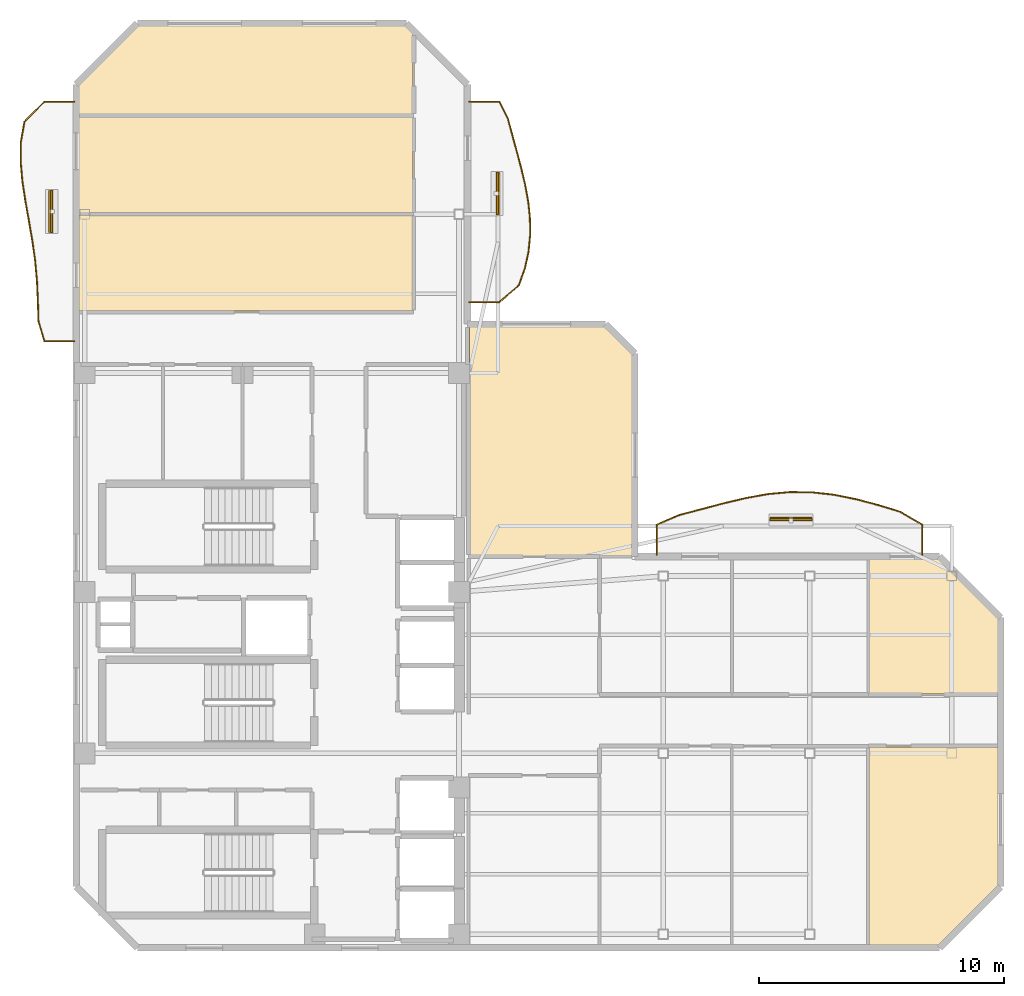
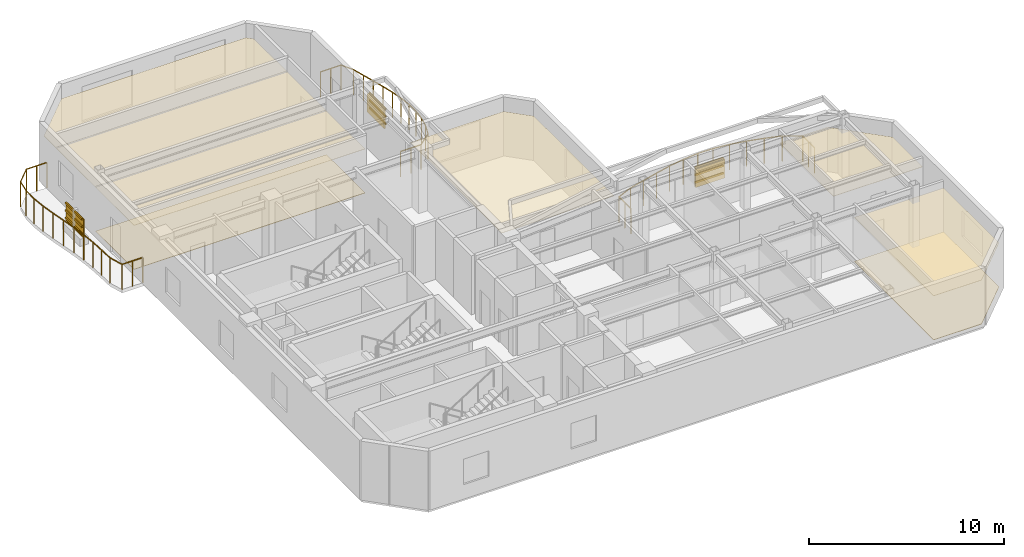
# One storey, part 7 of 7: 12 shading devices, 8 coverings, 3 railings.
"""IFC4 building model written with IfcOpenShell, lengths in metres."""

from ifc_helpers import new_model, si_unit, direction, frame, origin, origin_2d, place, context, subcontext, project, spatial, polyline, rectangle, outline, extrude, material, layer, layer_set, material_profile, profile_set, type_object, element, save


model = new_model("IFC4")

# Units and contexts
model_context = context("Model", 3, precision=1e-05, world=origin(), true_north=direction((0.0, 1.0)))
body_context = subcontext(model_context, "Body", "Model", "MODEL_VIEW")
ifc_project = project(units=[si_unit("LENGTHUNIT", "METRE"), si_unit("AREAUNIT", "SQUARE_METRE"), si_unit("VOLUMEUNIT", "CUBIC_METRE"), si_unit("PLANEANGLEUNIT", "RADIAN"), si_unit("MASSUNIT", "GRAM", prefix="KILO")], contexts=[model_context])

# Site, building, storey
site_placement = place(None, origin())
site = spatial("IfcSite", under=ifc_project, at=site_placement, CompositionType="ELEMENT")
building_placement = place(site_placement, origin())
building = spatial("IfcBuilding", under=site, at=building_placement, Name="Mawjaban Terraces University", CompositionType="ELEMENT")
storey_placement = place(building_placement, frame((0.0, 0.0, 252.10009765625)))
storey = spatial("IfcBuildingStorey", under=building, at=storey_placement, Name="L61", CompositionType="ELEMENT", Elevation=252.10009765625)

# Coverings
ifc_material_1 = material(Name="Acoustic mineral fibre ceiling tile", Category="masonry")
ifc_layer_1 = layer(ifc_material_1, 0.02001953125)
ifc_layer_set_1 = layer_set([ifc_layer_1], Name="Acoustic mineral fibre ceiling tile")
covering_type_1 = type_object("IfcCoveringType", Name="AcousticMineralCeiling_20", PredefinedType="CEILING", material=ifc_layer_set_1)
covering_1_placement = place(storey_placement, frame((0.0, 0.0, 2.75)))
element("IfcCovering", 1, at=covering_1_placement, inside=storey, type_object=covering_type_1, Name="L61 Classroom 6 Acoustic Ceiling", PredefinedType="CEILING", context=body_context, shape_type="SweptSolid", body=[
    extrude(outline(polyline([(54.41796875, 0.114990234375), (57.2529296875, 0.114990234375), (59.68505859375, 2.547119140625), (59.68505859375, 8.219970703125), (54.41796875, 8.219970703125), (54.41796875, 0.114990234375)])), origin(), (0.0, 0.0, 1.0), 0.02001953125),
])
covering_2_placement = place(storey_placement, frame((0.0, 0.0, 2.75)))
element("IfcCovering", 2, at=covering_2_placement, inside=storey, type_object=covering_type_1, Name="L61 Faculty Office 7 Acoustic Ceiling", PredefinedType="CEILING", context=body_context, shape_type="SweptSolid", body=[
    extrude(outline(polyline([(59.68505859375, 10.3798828125), (59.68505859375, 13.452880859375), (57.2529296875, 15.885009765625), (54.41796875, 15.885009765625), (54.41796875, 10.3798828125), (59.68505859375, 10.3798828125)])), origin(), (0.0, 0.0, 1.0), 0.02001953125),
])
covering_3_placement = place(storey_placement, frame((0.0, 0.0, 2.75)))
element("IfcCovering", 3, at=covering_3_placement, inside=storey, type_object=covering_type_1, Name="L61 Classroom 8 Acoustic Ceiling", PredefinedType="CEILING", context=body_context, shape_type="SweptSolid", body=[
    extrude(outline(polyline([(22.114990234375, 29.969970703125), (22.114990234375, 26.030029296875), (35.77001953125, 26.030029296875), (35.77001953125, 29.969970703125), (22.114990234375, 29.969970703125)])), origin(), (0.0, 0.0, 1.0), 0.02001953125),
])
covering_4_placement = place(storey_placement, frame((0.0, 0.0, 2.75)))
element("IfcCovering", 4, at=covering_4_placement, inside=storey, type_object=covering_type_1, Name="L61 Computational Laboratory 9 Acoustic Ceiling", PredefinedType="CEILING", context=body_context, shape_type="SweptSolid", body=[
    extrude(outline(polyline([(22.114990234375, 33.993896484375), (22.114990234375, 30.030029296875), (35.77001953125, 30.030029296875), (35.77001953125, 33.993896484375), (22.114990234375, 33.993896484375)])), origin(), (0.0, 0.0, 1.0), 0.02001953125),
])
covering_5_placement = place(storey_placement, frame((0.0, 0.0, 2.75)))
element("IfcCovering", 5, at=covering_5_placement, inside=storey, type_object=covering_type_1, Name="L61 Design Studio 10 Acoustic Ceiling", PredefinedType="CEILING", context=body_context, shape_type="SweptSolid", body=[
    extrude(outline(polyline([(35.77001953125, 37.367919921875), (35.452880859375, 37.68505859375), (24.547119140625, 37.68505859375), (22.114990234375, 35.2529296875), (22.114990234375, 34.053955078125), (35.77001953125, 34.053955078125), (35.77001953125, 37.367919921875)])), origin(), (0.0, 0.0, 1.0), 0.02001953125),
])
covering_6_placement = place(storey_placement, frame((0.0, 0.0, 2.75)))
element("IfcCovering", 6, at=covering_6_placement, inside=storey, type_object=covering_type_1, Name="L61 Terrace Collaborative Study Room Acoustic Ceiling", PredefinedType="CEILING", context=body_context, shape_type="SweptSolid", body=[
    extrude(outline(polyline([(44.72509765625, 16.030029296875), (44.72509765625, 24.2529296875), (43.593017578125, 25.385009765625), (38.080078125, 25.385009765625), (38.080078125, 16.030029296875), (44.72509765625, 16.030029296875)])), origin(), (0.0, 0.0, 1.0), 0.02001953125),
])

# Railings
ifc_material_2 = material(Name="Galvanised powder-coated steel S355", Category="steel")
railing_type = type_object("IfcRailingType", Name="BalconyBalustrade_1600", PredefinedType="BALUSTRADE", material=ifc_material_2)
railing_1_placement = place(storey_placement, frame((21.919921875, 24.800048828125, 0.0)))
element("IfcRailing", 7, at=railing_1_placement, inside=storey, type_object=railing_type, Name="L61 Balcony Guardrail west", PredefinedType="BALUSTRADE", context=body_context, shape_type="SweptSolid", body=[
    extrude(rectangle(XDim=0.048095703125, YDim=0.048095703125, at=origin_2d()), frame((0.0, 0.0, 1.576171875), z_axis=(-1.0, 0.0, 0.0), x_axis=(0.0, -1.0, 0.0)), (0.0, 0.0, 1.0), 1.219970703125),
    extrude(rectangle(XDim=0.048095703125, YDim=0.048095703125, at=origin_2d()), frame((-1.219970703125, 0.0, 1.576171875), z_axis=(-0.286086544762, 0.958203782557, 0.0), x_axis=(-0.958203782557, -0.286086544762, 0.0)), (0.0, 0.0, 1.0), 0.8525390625),
    extrude(rectangle(XDim=0.048095703125, YDim=0.048095703125, at=origin_2d()), frame((-1.4638671875, 0.81689453125, 1.576171875), z_axis=(-0.030796035307, 0.99952568962, 0.0), x_axis=(-0.99952568962, -0.030796035307, 0.0)), (0.0, 0.0, 1.0), 0.816650390625),
    extrude(rectangle(XDim=0.048095703125, YDim=0.048095703125, at=origin_2d()), frame((-1.489013671875, 1.633056640625, 1.576171875), z_axis=(-0.045082627759, 0.998983261459, 0.0), x_axis=(-0.998983261459, -0.045082627759, 0.0)), (0.0, 0.0, 1.0), 0.817626953125),
    extrude(rectangle(XDim=0.048095703125, YDim=0.048095703125, at=origin_2d()), frame((-1.52587890625, 2.449951171875, 1.576171875), z_axis=(-0.089005768693, 0.996031110528, 0.0), x_axis=(-0.996031110528, -0.089005768693, 0.0)), (0.0, 0.0, 1.0), 0.820068359375),
    extrude(rectangle(XDim=0.048095703125, YDim=0.048095703125, at=origin_2d()), frame((-1.598876953125, 3.266845703125, 1.576171875), z_axis=(-0.137188840592, 0.990544911661, 0.0), x_axis=(-0.990544911661, -0.137188840592, 0.0)), (0.0, 0.0, 1.0), 0.823974609375),
    extrude(rectangle(XDim=0.048095703125, YDim=0.048095703125, at=origin_2d()), frame((-1.7119140625, 4.0830078125, 1.576171875), z_axis=(-0.168792112751, 0.985651674109, 0.0), x_axis=(-0.985651674109, -0.168792112751, 0.0)), (0.0, 0.0, 1.0), 0.828857421875),
    extrude(rectangle(XDim=0.048095703125, YDim=0.048095703125, at=origin_2d()), frame((-1.851806640625, 4.89990234375, 1.576171875), z_axis=(-0.175882254045, 0.984411211188, 0.0), x_axis=(-0.984411211188, -0.175882254045, 0.0)), (0.0, 0.0, 1.0), 0.830078125),
    extrude(rectangle(XDim=0.048095703125, YDim=0.048095703125, at=origin_2d()), frame((-1.997802734375, 5.717041015625, 1.576171875), z_axis=(-0.150278574394, 0.988643692175, 0.0), x_axis=(-0.988643692175, -0.150278574394, 0.0)), (0.0, 0.0, 1.0), 0.8251953125),
    extrude(rectangle(XDim=0.048095703125, YDim=0.048095703125, at=origin_2d()), frame((-2.121826171875, 6.532958984375, 1.576171875), z_axis=(-0.087824301942, 0.996135980672, 0.0), x_axis=(-0.996135980672, -0.087824301942, 0.0)), (0.0, 0.0, 1.0), 0.820068359375),
    extrude(rectangle(XDim=0.048095703125, YDim=0.048095703125, at=origin_2d()), frame((-2.19384765625, 7.349853515625, 1.576171875), z_axis=(0.015833091241, 0.999874648754, 0.0), x_axis=(-0.999874648754, 0.015833091241, 0.0)), (0.0, 0.0, 1.0), 0.817138671875),
    extrude(rectangle(XDim=0.048095703125, YDim=0.048095703125, at=origin_2d()), frame((-2.180908203125, 8.1669921875, 1.576171875), z_axis=(0.174995257373, 0.984569276332, 0.0), x_axis=(-0.984569276332, 0.174995257373, 0.0)), (0.0, 0.0, 1.0), 0.82861328125),
    extrude(rectangle(XDim=0.048095703125, YDim=0.048095703125, at=origin_2d()), frame((-2.035888671875, 8.98291015625, 1.576171875), z_axis=(0.706578024374, 0.707635142903, 0.0), x_axis=(-0.707635142903, 0.706578024374, 0.0)), (0.0, 0.0, 1.0), 1.15478515625),
    extrude(rectangle(XDim=0.048095703125, YDim=0.048095703125, at=origin_2d()), frame((-1.219970703125, 9.800048828125, 1.576171875), z_axis=(1.0, 0.0, 0.0), x_axis=(0.0, 1.0, 0.0)), (0.0, 0.0, 1.0), 1.219970703125),
    extrude(rectangle(XDim=0.0419921875, YDim=0.0419921875, at=origin_2d()), origin(), (0.0, 0.0, 1.0), 1.552001953125),
    extrude(rectangle(XDim=0.0419921875, YDim=0.0419921875, at=origin_2d()), frame((-0.60986328125, 0.0, 0.0)), (0.0, 0.0, 1.0), 1.552001953125),
    extrude(rectangle(XDim=0.0419921875, YDim=0.0419921875, at=origin_2d()), frame((-1.219970703125, 0.0, 0.0)), (0.0, 0.0, 1.0), 1.552001953125),
    extrude(rectangle(XDim=0.0419921875, YDim=0.0419921875, at=origin_2d()), frame((-1.4638671875, 0.81689453125, 0.0)), (0.0, 0.0, 1.0), 1.552001953125),
    extrude(rectangle(XDim=0.0419921875, YDim=0.0419921875, at=origin_2d()), frame((-1.489013671875, 1.633056640625, 0.0)), (0.0, 0.0, 1.0), 1.552001953125),
    extrude(rectangle(XDim=0.0419921875, YDim=0.0419921875, at=origin_2d()), frame((-1.52587890625, 2.449951171875, 0.0)), (0.0, 0.0, 1.0), 1.552001953125),
    extrude(rectangle(XDim=0.0419921875, YDim=0.0419921875, at=origin_2d()), frame((-1.598876953125, 3.266845703125, 0.0)), (0.0, 0.0, 1.0), 1.552001953125),
    extrude(rectangle(XDim=0.0419921875, YDim=0.0419921875, at=origin_2d()), frame((-1.7119140625, 4.0830078125, 0.0)), (0.0, 0.0, 1.0), 1.552001953125),
    extrude(rectangle(XDim=0.0419921875, YDim=0.0419921875, at=origin_2d()), frame((-1.851806640625, 4.89990234375, 0.0)), (0.0, 0.0, 1.0), 1.552001953125),
    extrude(rectangle(XDim=0.0419921875, YDim=0.0419921875, at=origin_2d()), frame((-1.997802734375, 5.717041015625, 0.0)), (0.0, 0.0, 1.0), 1.552001953125),
    extrude(rectangle(XDim=0.0419921875, YDim=0.0419921875, at=origin_2d()), frame((-2.121826171875, 6.532958984375, 0.0)), (0.0, 0.0, 1.0), 1.552001953125),
    extrude(rectangle(XDim=0.0419921875, YDim=0.0419921875, at=origin_2d()), frame((-2.19384765625, 7.349853515625, 0.0)), (0.0, 0.0, 1.0), 1.552001953125),
    extrude(rectangle(XDim=0.0419921875, YDim=0.0419921875, at=origin_2d()), frame((-2.180908203125, 8.1669921875, 0.0)), (0.0, 0.0, 1.0), 1.552001953125),
    extrude(rectangle(XDim=0.0419921875, YDim=0.0419921875, at=origin_2d()), frame((-2.035888671875, 8.98291015625, 0.0)), (0.0, 0.0, 1.0), 1.552001953125),
    extrude(rectangle(XDim=0.0419921875, YDim=0.0419921875, at=origin_2d()), frame((-1.219970703125, 9.800048828125, 0.0)), (0.0, 0.0, 1.0), 1.552001953125),
    extrude(rectangle(XDim=0.0419921875, YDim=0.0419921875, at=origin_2d()), frame((-0.60986328125, 9.800048828125, 0.0)), (0.0, 0.0, 1.0), 1.552001953125),
    extrude(rectangle(XDim=0.0419921875, YDim=0.0419921875, at=origin_2d()), frame((0.0, 9.800048828125, 0.0)), (0.0, 0.0, 1.0), 1.552001953125),
])
railing_2_placement = place(storey_placement, frame((45.739990234375, 16.080078125, 0.0)))
element("IfcRailing", 8, at=railing_2_placement, inside=storey, type_object=railing_type, Name="L61 Balcony Guardrail inner_north", PredefinedType="BALUSTRADE", context=body_context, shape_type="SweptSolid", body=[
    extrude(rectangle(XDim=0.048095703125, YDim=0.048095703125, at=origin_2d()), frame((0.0, 0.0, 1.576171875), z_axis=(0.0, 1.0, 0.0), x_axis=(-1.0, 0.0, 0.0)), (0.0, 0.0, 1.0), 1.219970703125),
    extrude(rectangle(XDim=0.048095703125, YDim=0.048095703125, at=origin_2d()), frame((0.0, 1.219970703125, 1.576171875), z_axis=(0.916865462782, 0.399196346623, 0.0), x_axis=(-0.399196346623, 0.916865462782, 0.0)), (0.0, 0.0, 1.0), 0.987060546875),
    extrude(rectangle(XDim=0.048095703125, YDim=0.048095703125, at=origin_2d()), frame((0.905029296875, 1.614013671875, 1.576171875), z_axis=(0.967172473665, 0.254120849568, 0.0), x_axis=(-0.254120849568, 0.967172473665, 0.0)), (0.0, 0.0, 1.0), 0.935791015625),
    extrude(rectangle(XDim=0.048095703125, YDim=0.048095703125, at=origin_2d()), frame((1.81005859375, 1.851806640625, 1.576171875), z_axis=(0.966528578095, 0.25655897514, 0.0), x_axis=(-0.25655897514, 0.966528578095, 0.0)), (0.0, 0.0, 1.0), 0.936279296875),
    extrude(rectangle(XDim=0.048095703125, YDim=0.048095703125, at=origin_2d()), frame((2.715087890625, 2.092041015625, 1.576171875), z_axis=(0.972724505528, 0.23196343752, 0.0), x_axis=(-0.23196343752, 0.972724505528, 0.0)), (0.0, 0.0, 1.0), 0.930419921875),
    extrude(rectangle(XDim=0.048095703125, YDim=0.048095703125, at=origin_2d()), frame((3.6201171875, 2.307861328125, 1.576171875), z_axis=(0.983954760148, 0.178418132439, 0.0), x_axis=(-0.178418132439, 0.983954760148, 0.0)), (0.0, 0.0, 1.0), 0.91943359375),
    extrude(rectangle(XDim=0.048095703125, YDim=0.048095703125, at=origin_2d()), frame((4.52490234375, 2.471923828125, 1.576171875), z_axis=(0.995622518279, 0.093465507516, 0.0), x_axis=(-0.093465507516, 0.995622518279, 0.0)), (0.0, 0.0, 1.0), 0.908935546875),
    extrude(rectangle(XDim=0.048095703125, YDim=0.048095703125, at=origin_2d()), frame((5.429931640625, 2.556884765625, 1.576171875), z_axis=(0.999960378866, -0.008901724441, 0.0), x_axis=(0.008901724441, 0.999960378866, 0.0)), (0.0, 0.0, 1.0), 0.905029296875),
    extrude(rectangle(XDim=0.048095703125, YDim=0.048095703125, at=origin_2d()), frame((6.3349609375, 2.548828125, 1.576171875), z_axis=(0.99385099585, -0.110725778604, 0.0), x_axis=(0.110725778604, 0.99385099585, 0.0)), (0.0, 0.0, 1.0), 0.91064453125),
    extrude(rectangle(XDim=0.048095703125, YDim=0.048095703125, at=origin_2d()), frame((7.239990234375, 2.447998046875, 1.576171875), z_axis=(0.980346034352, -0.197285713954, 0.0), x_axis=(0.197285713954, 0.980346034352, 0.0)), (0.0, 0.0, 1.0), 0.923095703125),
    extrude(rectangle(XDim=0.048095703125, YDim=0.048095703125, at=origin_2d()), frame((8.14501953125, 2.265869140625, 1.576171875), z_axis=(0.966851187209, -0.255340521251, 0.0), x_axis=(0.255340521251, 0.966851187209, 0.0)), (0.0, 0.0, 1.0), 0.93603515625),
    extrude(rectangle(XDim=0.048095703125, YDim=0.048095703125, at=origin_2d()), frame((9.050048828125, 2.02685546875, 1.576171875), z_axis=(0.956545661828, -0.291582572934, 0.0), x_axis=(0.291582572934, 0.956545661828, 0.0)), (0.0, 0.0, 1.0), 0.946044921875),
    extrude(rectangle(XDim=0.048095703125, YDim=0.048095703125, at=origin_2d()), frame((9.955078125, 1.7509765625, 1.576171875), z_axis=(0.862501887285, -0.506053845386, 0.0), x_axis=(0.506053845386, 0.862501887285, 0.0)), (0.0, 0.0, 1.0), 1.04931640625),
    extrude(rectangle(XDim=0.048095703125, YDim=0.048095703125, at=origin_2d()), frame((10.860107421875, 1.219970703125, 1.576171875), z_axis=(0.0, -1.0, 0.0), x_axis=(1.0, 0.0, 0.0)), (0.0, 0.0, 1.0), 1.219970703125),
    extrude(rectangle(XDim=0.0419921875, YDim=0.0419921875, at=origin_2d()), origin(), (0.0, 0.0, 1.0), 1.552001953125),
    extrude(rectangle(XDim=0.0419921875, YDim=0.0419921875, at=origin_2d()), frame((0.0, 0.60986328125, 0.0)), (0.0, 0.0, 1.0), 1.552001953125),
    extrude(rectangle(XDim=0.0419921875, YDim=0.0419921875, at=origin_2d()), frame((0.0, 1.219970703125, 0.0)), (0.0, 0.0, 1.0), 1.552001953125),
    extrude(rectangle(XDim=0.0419921875, YDim=0.0419921875, at=origin_2d()), frame((0.905029296875, 1.614013671875, 0.0)), (0.0, 0.0, 1.0), 1.552001953125),
    extrude(rectangle(XDim=0.0419921875, YDim=0.0419921875, at=origin_2d()), frame((1.81005859375, 1.851806640625, 0.0)), (0.0, 0.0, 1.0), 1.552001953125),
    extrude(rectangle(XDim=0.0419921875, YDim=0.0419921875, at=origin_2d()), frame((2.715087890625, 2.092041015625, 0.0)), (0.0, 0.0, 1.0), 1.552001953125),
    extrude(rectangle(XDim=0.0419921875, YDim=0.0419921875, at=origin_2d()), frame((3.6201171875, 2.307861328125, 0.0)), (0.0, 0.0, 1.0), 1.552001953125),
    extrude(rectangle(XDim=0.0419921875, YDim=0.0419921875, at=origin_2d()), frame((4.52490234375, 2.471923828125, 0.0)), (0.0, 0.0, 1.0), 1.552001953125),
    extrude(rectangle(XDim=0.0419921875, YDim=0.0419921875, at=origin_2d()), frame((5.429931640625, 2.556884765625, 0.0)), (0.0, 0.0, 1.0), 1.552001953125),
    extrude(rectangle(XDim=0.0419921875, YDim=0.0419921875, at=origin_2d()), frame((6.3349609375, 2.548828125, 0.0)), (0.0, 0.0, 1.0), 1.552001953125),
    extrude(rectangle(XDim=0.0419921875, YDim=0.0419921875, at=origin_2d()), frame((7.239990234375, 2.447998046875, 0.0)), (0.0, 0.0, 1.0), 1.552001953125),
    extrude(rectangle(XDim=0.0419921875, YDim=0.0419921875, at=origin_2d()), frame((8.14501953125, 2.265869140625, 0.0)), (0.0, 0.0, 1.0), 1.552001953125),
    extrude(rectangle(XDim=0.0419921875, YDim=0.0419921875, at=origin_2d()), frame((9.050048828125, 2.02685546875, 0.0)), (0.0, 0.0, 1.0), 1.552001953125),
    extrude(rectangle(XDim=0.0419921875, YDim=0.0419921875, at=origin_2d()), frame((9.955078125, 1.7509765625, 0.0)), (0.0, 0.0, 1.0), 1.552001953125),
    extrude(rectangle(XDim=0.0419921875, YDim=0.0419921875, at=origin_2d()), frame((10.860107421875, 1.219970703125, 0.0)), (0.0, 0.0, 1.0), 1.552001953125),
    extrude(rectangle(XDim=0.0419921875, YDim=0.0419921875, at=origin_2d()), frame((10.860107421875, 0.60986328125, 0.0)), (0.0, 0.0, 1.0), 1.552001953125),
    extrude(rectangle(XDim=0.0419921875, YDim=0.0419921875, at=origin_2d()), frame((10.860107421875, 0.0, 0.0)), (0.0, 0.0, 1.0), 1.552001953125),
])
railing_3_placement = place(storey_placement, frame((38.080078125, 26.39990234375, 0.0)))
element("IfcRailing", 9, at=railing_3_placement, inside=storey, type_object=railing_type, Name="L61 Balcony Guardrail inner_east", PredefinedType="BALUSTRADE", context=body_context, shape_type="SweptSolid", body=[
    extrude(rectangle(XDim=0.048095703125, YDim=0.048095703125, at=origin_2d()), frame((0.0, 0.0, 1.576171875), z_axis=(1.0, 0.0, 0.0), x_axis=(0.0, 1.0, 0.0)), (0.0, 0.0, 1.0), 1.219970703125),
    extrude(rectangle(XDim=0.048095703125, YDim=0.048095703125, at=origin_2d()), frame((1.219970703125, 0.0, 1.576171875), z_axis=(0.760500211472, 0.649337684376, 0.0), x_axis=(-0.649337684376, 0.760500211472, 0.0)), (0.0, 0.0, 1.0), 1.052001953125),
    extrude(rectangle(XDim=0.048095703125, YDim=0.048095703125, at=origin_2d()), frame((2.02001953125, 0.68310546875, 1.576171875), z_axis=(0.339396970408, 0.940643235493, 0.0), x_axis=(-0.940643235493, 0.339396970408, 0.0)), (0.0, 0.0, 1.0), 0.727294921875),
    extrude(rectangle(XDim=0.048095703125, YDim=0.048095703125, at=origin_2d()), frame((2.266845703125, 1.3671875, 1.576171875), z_axis=(0.213415615757, 0.976961501264, 0.0), x_axis=(-0.976961501264, 0.213415615757, 0.0)), (0.0, 0.0, 1.0), 0.698974609375),
    extrude(rectangle(XDim=0.048095703125, YDim=0.048095703125, at=origin_2d()), frame((2.416015625, 2.050048828125, 1.576171875), z_axis=(0.098869872456, 0.995100370978, 0.0), x_axis=(-0.995100370978, 0.098869872456, 0.0)), (0.0, 0.0, 1.0), 0.6865234375),
    extrude(rectangle(XDim=0.048095703125, YDim=0.048095703125, at=origin_2d()), frame((2.48388671875, 2.733154296875, 1.576171875), z_axis=(-0.008568053925, 0.999963293552, 0.0), x_axis=(-0.999963293552, -0.008568053925, 0.0)), (0.0, 0.0, 1.0), 0.683837890625),
    extrude(rectangle(XDim=0.048095703125, YDim=0.048095703125, at=origin_2d()), frame((2.47802734375, 3.4169921875, 1.576171875), z_axis=(-0.103444903127, 0.994635185391, 0.0), x_axis=(-0.994635185391, -0.103444903127, 0.0)), (0.0, 0.0, 1.0), 0.686767578125),
    extrude(rectangle(XDim=0.048095703125, YDim=0.048095703125, at=origin_2d()), frame((2.406982421875, 4.10009765625, 1.576171875), z_axis=(-0.177275648492, 0.984161239052, 0.0), x_axis=(-0.984161239052, -0.177275648492, 0.0)), (0.0, 0.0, 1.0), 0.694091796875),
    extrude(rectangle(XDim=0.048095703125, YDim=0.048095703125, at=origin_2d()), frame((2.283935546875, 4.783203125, 1.576171875), z_axis=(-0.230665472106, 0.973033113506, 0.0), x_axis=(-0.973033113506, -0.230665472106, 0.0)), (0.0, 0.0, 1.0), 0.702880859375),
    extrude(rectangle(XDim=0.048095703125, YDim=0.048095703125, at=origin_2d()), frame((2.121826171875, 5.467041015625, 1.576171875), z_axis=(-0.256006510883, 0.966675057289, 0.0), x_axis=(-0.966675057289, -0.256006510883, 0.0)), (0.0, 0.0, 1.0), 0.70654296875),
    extrude(rectangle(XDim=0.048095703125, YDim=0.048095703125, at=origin_2d()), frame((1.94091796875, 6.150146484375, 1.576171875), z_axis=(-0.264138480669, 0.964484765577, 0.0), x_axis=(-0.964484765577, -0.264138480669, 0.0)), (0.0, 0.0, 1.0), 0.7080078125),
    extrude(rectangle(XDim=0.048095703125, YDim=0.048095703125, at=origin_2d()), frame((1.75390625, 6.8330078125, 1.576171875), z_axis=(-0.261134622918, 0.965302392369, 0.0), x_axis=(-0.965302392369, -0.261134622918, 0.0)), (0.0, 0.0, 1.0), 0.708740234375),
    extrude(rectangle(XDim=0.048095703125, YDim=0.048095703125, at=origin_2d()), frame((1.56884765625, 7.51708984375, 1.576171875), z_axis=(-0.454836242036, 0.890575091124, 0.0), x_axis=(-0.890575091124, -0.454836242036, 0.0)), (0.0, 0.0, 1.0), 0.76708984375),
    extrude(rectangle(XDim=0.048095703125, YDim=0.048095703125, at=origin_2d()), frame((1.219970703125, 8.2001953125, 1.576171875), z_axis=(-1.0, 0.0, 0.0), x_axis=(0.0, -1.0, 0.0)), (0.0, 0.0, 1.0), 1.219970703125),
    extrude(rectangle(XDim=0.0419921875, YDim=0.0419921875, at=origin_2d()), origin(), (0.0, 0.0, 1.0), 1.552001953125),
    extrude(rectangle(XDim=0.0419921875, YDim=0.0419921875, at=origin_2d()), frame((0.60986328125, 0.0, 0.0)), (0.0, 0.0, 1.0), 1.552001953125),
    extrude(rectangle(XDim=0.0419921875, YDim=0.0419921875, at=origin_2d()), frame((1.219970703125, 0.0, 0.0)), (0.0, 0.0, 1.0), 1.552001953125),
    extrude(rectangle(XDim=0.0419921875, YDim=0.0419921875, at=origin_2d()), frame((2.02001953125, 0.68310546875, 0.0)), (0.0, 0.0, 1.0), 1.552001953125),
    extrude(rectangle(XDim=0.0419921875, YDim=0.0419921875, at=origin_2d()), frame((2.266845703125, 1.3671875, 0.0)), (0.0, 0.0, 1.0), 1.552001953125),
    extrude(rectangle(XDim=0.0419921875, YDim=0.0419921875, at=origin_2d()), frame((2.416015625, 2.050048828125, 0.0)), (0.0, 0.0, 1.0), 1.552001953125),
    extrude(rectangle(XDim=0.0419921875, YDim=0.0419921875, at=origin_2d()), frame((2.48388671875, 2.733154296875, 0.0)), (0.0, 0.0, 1.0), 1.552001953125),
    extrude(rectangle(XDim=0.0419921875, YDim=0.0419921875, at=origin_2d()), frame((2.47802734375, 3.4169921875, 0.0)), (0.0, 0.0, 1.0), 1.552001953125),
    extrude(rectangle(XDim=0.0419921875, YDim=0.0419921875, at=origin_2d()), frame((2.406982421875, 4.10009765625, 0.0)), (0.0, 0.0, 1.0), 1.552001953125),
    extrude(rectangle(XDim=0.0419921875, YDim=0.0419921875, at=origin_2d()), frame((2.283935546875, 4.783203125, 0.0)), (0.0, 0.0, 1.0), 1.552001953125),
    extrude(rectangle(XDim=0.0419921875, YDim=0.0419921875, at=origin_2d()), frame((2.121826171875, 5.467041015625, 0.0)), (0.0, 0.0, 1.0), 1.552001953125),
    extrude(rectangle(XDim=0.0419921875, YDim=0.0419921875, at=origin_2d()), frame((1.94091796875, 6.150146484375, 0.0)), (0.0, 0.0, 1.0), 1.552001953125),
    extrude(rectangle(XDim=0.0419921875, YDim=0.0419921875, at=origin_2d()), frame((1.75390625, 6.8330078125, 0.0)), (0.0, 0.0, 1.0), 1.552001953125),
    extrude(rectangle(XDim=0.0419921875, YDim=0.0419921875, at=origin_2d()), frame((1.56884765625, 7.51708984375, 0.0)), (0.0, 0.0, 1.0), 1.552001953125),
    extrude(rectangle(XDim=0.0419921875, YDim=0.0419921875, at=origin_2d()), frame((1.219970703125, 8.2001953125, 0.0)), (0.0, 0.0, 1.0), 1.552001953125),
    extrude(rectangle(XDim=0.0419921875, YDim=0.0419921875, at=origin_2d()), frame((0.60986328125, 8.2001953125, 0.0)), (0.0, 0.0, 1.0), 1.552001953125),
    extrude(rectangle(XDim=0.0419921875, YDim=0.0419921875, at=origin_2d()), frame((0.0, 8.2001953125, 0.0)), (0.0, 0.0, 1.0), 1.552001953125),
])

# Shading devices
ifc_material_3 = material(Name="Glazed architectural terracotta ceramic", Category="masonry")
ifc_material_profile = material_profile(ifc_material_3, rectangle(XDim=0.06494140625, YDim=0.110107421875, at=origin_2d()), Name="TBAG110X65")
ifc_profile_set = profile_set([ifc_material_profile], Name="Glazed architectural terracotta ceramic")
shading_device_type_1 = type_object("IfcShadingDeviceType", Name="TerracottaBaguette_110x65", PredefinedType="USERDEFINED", material=ifc_profile_set)
for number, where, z_axis, x_axis, name in (
    (10, (20.91796875, 29.258056640625, 0.679931640625), (0.0, 1.0, 0.0), (-1.0, 0.0, 0.0), "L61 Horizontal Terracotta Baguette west.1"),
    (11, (20.91796875, 29.258056640625, 1.14990234375), (0.0, 1.0, 0.0), (-1.0, 0.0, 0.0), "L61 Horizontal Terracotta Baguette west.2"),
    (12, (20.91796875, 29.258056640625, 1.619873046875), (0.0, 1.0, 0.0), (-1.0, 0.0, 0.0), "L61 Horizontal Terracotta Baguette west.3"),
    (13, (50.3779296875, 17.58203125, 0.679931640625), (1.0, 0.0, 0.0), (0.0, 1.0, 0.0), "L61 Horizontal Terracotta Baguette inner_north.1"),
    (14, (50.3779296875, 17.58203125, 1.14990234375), (1.0, 0.0, 0.0), (0.0, 1.0, 0.0), "L61 Horizontal Terracotta Baguette inner_north.2"),
    (15, (50.3779296875, 17.58203125, 1.619873046875), (1.0, 0.0, 0.0), (0.0, 1.0, 0.0), "L61 Horizontal Terracotta Baguette inner_north.3"),
    (16, (39.29296875, 29.990966796875, 0.679931640625), (0.0, 1.0, 0.0), (-1.0, 0.0, 0.0), "L61 Horizontal Terracotta Baguette inner_east.1"),
    (17, (39.29296875, 29.990966796875, 1.14990234375), (0.0, 1.0, 0.0), (-1.0, 0.0, 0.0), "L61 Horizontal Terracotta Baguette inner_east.2"),
    (18, (39.29296875, 29.990966796875, 1.619873046875), (0.0, 1.0, 0.0), (-1.0, 0.0, 0.0), "L61 Horizontal Terracotta Baguette inner_east.3"),
):
    element("IfcShadingDevice", number, at=place(storey_placement, frame(where, z_axis=z_axis, x_axis=x_axis)), inside=storey, type_object=shading_device_type_1, Name=name, ObjectType="BAGUETTE", PredefinedType="USERDEFINED", context=body_context, shape_type="SweptSolid", body=[
        extrude(rectangle(XDim=0.06494140625, YDim=0.110107421875, at=origin_2d()), origin(), (0.0, 0.0, 1.0), 1.699951171875),
    ])
ifc_layer_2 = layer(ifc_material_3, 0.080078125)
ifc_layer_set_2 = layer_set([ifc_layer_2], Name="Glazed architectural terracotta ceramic")
shading_device_type_2 = type_object("IfcShadingDeviceType", Name="TerracottaScreen_Perforated", PredefinedType="USERDEFINED", material=ifc_layer_set_2)
for number, where, z_axis, x_axis, name in (
    (19, (21.0029296875, 30.10791015625, 0.43994140625), (0.0, 0.0, 1.0), (0.0, 1.0, 0.0), "L61 Balcony Perforated Terracotta Screen west"),
    (20, (51.22802734375, 17.4970703125, 0.43994140625), (0.0, 0.0, 1.0), (1.0, 0.0, 0.0), "L61 Balcony Perforated Terracotta Screen inner_north"),
    (21, (39.2080078125, 30.841064453125, 0.43994140625), (0.0, 0.0, 1.0), (0.0, 1.0, 0.0), "L61 Balcony Perforated Terracotta Screen inner_east"),
):
    element("IfcShadingDevice", number, at=place(storey_placement, frame(where, z_axis=z_axis, x_axis=x_axis)), inside=storey, type_object=shading_device_type_2, Name=name, ObjectType="SCREEN", PredefinedType="USERDEFINED", context=body_context, shape_type="SweptSolid", body=[
        extrude(rectangle(XDim=1.75, YDim=0.080078125, at=origin_2d()), origin(), (0.0, 0.0, 1.0), 1.14990234375),
    ])

# Coverings
ifc_material_4 = material(Name="Polished Hijazi granite terrazzo flooring", Category="masonry")
ifc_layer_3 = layer(ifc_material_4, 0.02490234375)
ifc_layer_set_3 = layer_set([ifc_layer_3], Name="Polished Hijazi granite terrazzo flooring")
covering_type_2 = type_object("IfcCoveringType", Name="TerrazzoConcourseFlooring_25", PredefinedType="FLOORING", material=ifc_layer_set_3)
covering_7_placement = place(storey_placement, origin())
element("IfcCovering", 22, at=covering_7_placement, inside=storey, type_object=covering_type_2, Name="L61 Classroom 6 Terrazzo Flooring", PredefinedType="FLOORING", context=body_context, shape_type="SweptSolid", body=[
    extrude(outline(polyline([(54.41796875, 0.114990234375), (57.2529296875, 0.114990234375), (59.68505859375, 2.547119140625), (59.68505859375, 8.219970703125), (54.41796875, 8.219970703125), (54.41796875, 0.114990234375)])), origin(), (0.0, 0.0, 1.0), 0.02490234375),
])
covering_8_placement = place(storey_placement, origin())
element("IfcCovering", 23, at=covering_8_placement, inside=storey, type_object=covering_type_2, Name="L61 Classroom 8 Terrazzo Flooring", PredefinedType="FLOORING", context=body_context, shape_type="SweptSolid", body=[
    extrude(outline(polyline([(22.114990234375, 29.969970703125), (22.114990234375, 26.030029296875), (35.77001953125, 26.030029296875), (35.77001953125, 29.969970703125), (22.114990234375, 29.969970703125)])), origin(), (0.0, 0.0, 1.0), 0.02490234375),
])

save(model, "model.ifc")
